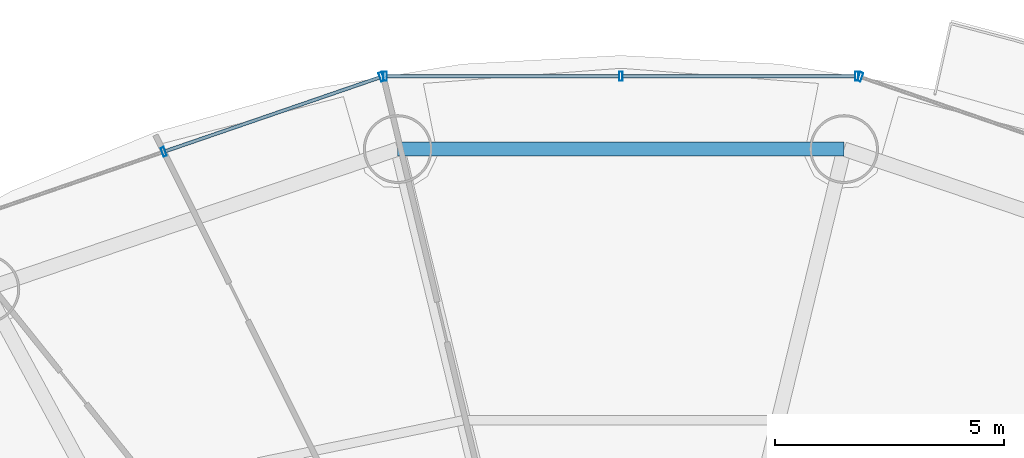
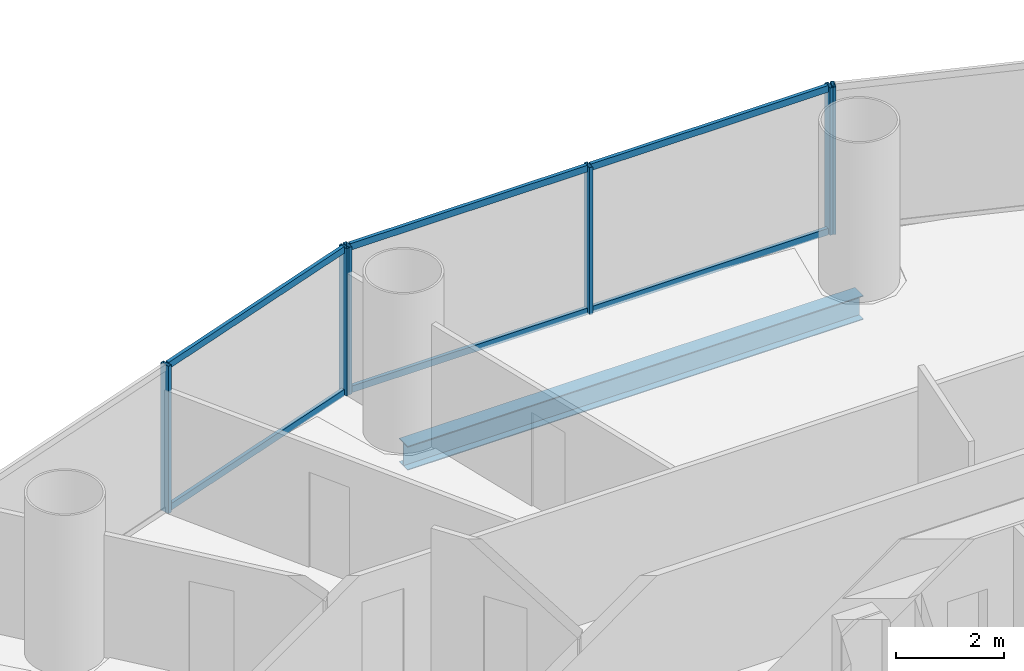
# One storey, part 18 of 29: 12 members, 1 beam, 3 elements without a shape of their own.
"""IFC4 building model written with IfcOpenShell, lengths in metres."""

from ifc_helpers import new_model, si_unit, direction, frame, origin, origin_2d, place, context, subcontext, project, spatial, hollow_rectangle, i_section, extrude, source, transform, mapped, material, material_profile, profile_set, type_object, element, aggregate, save


model = new_model("IFC4")

# Units and contexts
model_context = context("Model", 3, precision=1e-05, world=origin(), true_north=direction((-0.2419218956, 0.970295726276)))
body_context = subcontext(model_context, "Body", "Model", "MODEL_VIEW")
ifc_project = project(units=[si_unit("LENGTHUNIT", "METRE"), si_unit("AREAUNIT", "SQUARE_METRE"), si_unit("VOLUMEUNIT", "CUBIC_METRE"), si_unit("PLANEANGLEUNIT", "RADIAN"), si_unit("MASSUNIT", "GRAM", prefix="KILO")], contexts=[model_context])

# Site, building, storey
site_placement = place(None, origin())
site = spatial("IfcSite", under=ifc_project, at=site_placement, CompositionType="ELEMENT")
building_placement = place(site_placement, origin())
building = spatial("IfcBuilding", under=site, at=building_placement, Name="Cobrevalo Terracotta Tower", CompositionType="ELEMENT")
storey_placement = place(building_placement, frame((0.0, 0.0, 112.199951171875)))
storey = spatial("IfcBuildingStorey", under=building, at=storey_placement, Name="L29", CompositionType="ELEMENT", Elevation=112.199951171875)

# Beam
ifc_material_1 = material(Name="Steel S355", Category="steel")
ifc_material_profile_1 = material_profile(ifc_material_1, i_section(OverallWidth=0.31201171875, OverallDepth=0.54296875, WebThickness=0.0126953125, FlangeThickness=0.020263671875, at=origin_2d()), Name="W 530x150")
ifc_profile_set_1 = profile_set([ifc_material_profile_1], Name="Steel S355")
beam_type = type_object("IfcBeamType", Name="Structural Spandrel W 530x150 (Steel S355)", PredefinedType="SPANDREL", material=ifc_profile_set_1)
beam_placement = place(storey_placement, frame((42.867431640625, 46.857177734375, -0.54638671875), z_axis=(-1.0, 0.0, 0.0), x_axis=(0.0, -1.0, 0.0)))
element("IfcBeam", 1, at=beam_placement, inside=storey, type_object=beam_type, Name="L29 perimeter ring spandrel 04", PredefinedType="SPANDREL", context=body_context, shape_type="SweptSolid", body=[
    extrude(i_section(OverallWidth=0.31201171875, OverallDepth=0.54296875, WebThickness=0.0126953125, FlangeThickness=0.020263671875, at=origin_2d()), origin(), (0.0, 0.0, 1.0), 9.73486328125),
])

# Curtain wall, member
ifc_material_2 = material(Name="Anodized aluminium", Category="aluminium")
curtain_wall_type = type_object("IfcCurtainWallType", Name="Lower-tower unitised acoustic low-E curtain wall CW-U1", PredefinedType="NOTDEFINED", material=ifc_material_2)
curtain_wall_1_placement = place(storey_placement, origin())
curtain_wall_1 = element("IfcCurtainWall", 2, at=curtain_wall_1_placement, inside=storey, type_object=curtain_wall_type, Name="L29 curtain wall CW-L29-S03", PredefinedType="NOTDEFINED")
ifc_material_profile_2 = material_profile(ifc_material_2, hollow_rectangle(XDim=0.074951171875, YDim=0.199951171875, WallThickness=0.0048828125, at=origin_2d()), Name="CWM 75x200")
ifc_profile_set_2 = profile_set([ifc_material_profile_2], Name="Anodized aluminium")
member_type_1 = type_object("IfcMemberType", Name="Lower/mid tower unitised mullion 75x200", PredefinedType="MULLION", material=ifc_profile_set_2)
shared_shape_1 = source(origin(), body_context, "Body", "SweptSolid", [
    extrude(hollow_rectangle(XDim=0.074951171875, YDim=0.199951171875, WallThickness=0.0048828125, at=origin_2d()), origin(), (0.0, 0.0, 1.0), 3.324951171875),
])
member_1_placement = place(storey_placement, frame((43.221435546875, 48.432861328125, 0.0), z_axis=(0.0, 0.0, 1.0), x_axis=(-0.94559809868, 0.325337110968, 0.0)))
member_1 = element("IfcMember", 3, at=member_1_placement, type_object=member_type_1, Name="CW-L29-S03 vertical mullion 03", PredefinedType="MULLION", context=body_context, shape_type="MappedRepresentation", body=[
    mapped(shared_shape_1, transform((0.0, 0.0, 0.0), scale=1.0)),
])
aggregate(curtain_wall_1, [member_1])

# Curtain wall, members
curtain_wall_2_placement = place(storey_placement, origin())
curtain_wall_2 = element("IfcCurtainWall", 4, at=curtain_wall_2_placement, inside=storey, type_object=curtain_wall_type, Name="L29 curtain wall CW-L29-S04", PredefinedType="NOTDEFINED")
member_2_placement = place(storey_placement, frame((43.1435546875, 48.446044921875, 0.0), z_axis=(0.0, 0.0, 1.0), x_axis=(-1.0, 0.0, 0.0)))
member_2 = element("IfcMember", 5, at=member_2_placement, type_object=member_type_1, Name="CW-L29-S04 vertical mullion 01", PredefinedType="MULLION", context=body_context, shape_type="MappedRepresentation", body=[
    mapped(shared_shape_1, transform((0.0, 0.0, 0.0), scale=1.0)),
])
member_3_placement = place(storey_placement, frame((38.0, 48.446044921875, 0.0), z_axis=(0.0, 0.0, 1.0), x_axis=(-1.0, 0.0, 0.0)))
member_3 = element("IfcMember", 6, at=member_3_placement, type_object=member_type_1, Name="CW-L29-S04 vertical mullion 02", PredefinedType="MULLION", context=body_context, shape_type="MappedRepresentation", body=[
    mapped(shared_shape_1, transform((0.0, 0.0, 0.0), scale=1.0)),
])
member_4_placement = place(storey_placement, frame((32.8564453125, 48.446044921875, 0.0), z_axis=(0.0, 0.0, 1.0), x_axis=(-1.0, 0.0, 0.0)))
member_4 = element("IfcMember", 7, at=member_4_placement, type_object=member_type_1, Name="CW-L29-S04 vertical mullion 03", PredefinedType="MULLION", context=body_context, shape_type="MappedRepresentation", body=[
    mapped(shared_shape_1, transform((0.0, 0.0, 0.0), scale=1.0)),
])

curtain_wall_3_placement = place(storey_placement, origin())
curtain_wall_3 = element("IfcCurtainWall", 8, at=curtain_wall_3_placement, inside=storey, type_object=curtain_wall_type, Name="L29 curtain wall CW-L29-S05", PredefinedType="NOTDEFINED")
member_5_placement = place(storey_placement, frame((32.778564453125, 48.432861328125, 0.0), z_axis=(0.0, 0.0, 1.0), x_axis=(-0.94559809868, -0.325337110968, 0.0)))
member_5 = element("IfcMember", 9, at=member_5_placement, type_object=member_type_1, Name="CW-L29-S05 vertical mullion 01", PredefinedType="MULLION", context=body_context, shape_type="MappedRepresentation", body=[
    mapped(shared_shape_1, transform((0.0, 0.0, 0.0), scale=1.0)),
])
member_6_placement = place(storey_placement, frame((28.027587890625, 46.79833984375, 0.0), z_axis=(0.0, 0.0, 1.0), x_axis=(-0.94559809868, -0.325337110968, 0.0)))
member_6 = element("IfcMember", 10, at=member_6_placement, type_object=member_type_1, Name="CW-L29-S05 vertical mullion 02", PredefinedType="MULLION", context=body_context, shape_type="MappedRepresentation", body=[
    mapped(shared_shape_1, transform((0.0, 0.0, 0.0), scale=1.0)),
])
ifc_material_profile_3 = material_profile(ifc_material_2, hollow_rectangle(XDim=0.074951171875, YDim=0.14990234375, WallThickness=0.00439453125, at=origin_2d()), Name="CWT 75x150")
ifc_profile_set_3 = profile_set([ifc_material_profile_3], Name="Anodized aluminium")
member_type_2 = type_object("IfcMemberType", Name="Tower unitised aluminium transom 75x150", PredefinedType="USERDEFINED", material=ifc_profile_set_3)
shared_shape_2 = source(origin(), body_context, "Body", "SweptSolid", [
    extrude(hollow_rectangle(XDim=0.074951171875, YDim=0.14990234375, WallThickness=0.00439453125, at=origin_2d()), origin(), (0.0, 0.0, 1.0), 4.944580078125),
])
member_7_placement = place(storey_placement, frame((32.74072265625, 48.419921875, 0.050048828125), z_axis=(-0.945597859971, -0.32533780478, 0.0), x_axis=(0.32533780478, -0.945597859971, 0.0)))
member_7 = element("IfcMember", 11, at=member_7_placement, type_object=member_type_2, Name="CW-L29-S05 transom B01-T1", ObjectType="TRANSOM", PredefinedType="USERDEFINED", context=body_context, shape_type="MappedRepresentation", body=[
    mapped(shared_shape_2, transform((0.0, 0.0, 0.0), scale=1.0)),
])
member_8_placement = place(storey_placement, frame((32.74072265625, 48.419921875, 3.275146484375), z_axis=(-0.945597859971, -0.32533780478, 0.0), x_axis=(0.32533780478, -0.945597859971, 0.0)))
member_8 = element("IfcMember", 12, at=member_8_placement, type_object=member_type_2, Name="CW-L29-S05 transom B01-T2", ObjectType="TRANSOM", PredefinedType="USERDEFINED", context=body_context, shape_type="MappedRepresentation", body=[
    mapped(shared_shape_2, transform((0.0, 0.0, 0.0), scale=1.0)),
])
aggregate(curtain_wall_3, [member_5, member_6, member_7, member_8])

# Member
shared_shape_3 = source(origin(), body_context, "Body", "SweptSolid", [
    extrude(hollow_rectangle(XDim=0.074951171875, YDim=0.14990234375, WallThickness=0.00439453125, at=origin_2d()), origin(), (0.0, 0.0, 1.0), 5.0634765625),
])
member_9_placement = place(storey_placement, frame((43.103515625, 48.446044921875, 0.050048828125), z_axis=(-1.0, 0.0, 0.0), x_axis=(0.0, -1.0, 0.0)))
member_9 = element("IfcMember", 13, at=member_9_placement, type_object=member_type_2, Name="CW-L29-S04 transom B01-T1", ObjectType="TRANSOM", PredefinedType="USERDEFINED", context=body_context, shape_type="MappedRepresentation", body=[
    mapped(shared_shape_3, transform((0.0, 0.0, 0.0), scale=1.0)),
])

member_10_placement = place(storey_placement, frame((43.103515625, 48.446044921875, 3.275146484375), z_axis=(-1.0, 0.0, 0.0), x_axis=(0.0, -1.0, 0.0)))
member_10 = element("IfcMember", 14, at=member_10_placement, type_object=member_type_2, Name="CW-L29-S04 transom B01-T2", ObjectType="TRANSOM", PredefinedType="USERDEFINED", context=body_context, shape_type="MappedRepresentation", body=[
    mapped(shared_shape_3, transform((0.0, 0.0, 0.0), scale=1.0)),
])

member_11_placement = place(storey_placement, frame((37.9599609375, 48.446044921875, 0.050048828125), z_axis=(-1.0, 0.0, 0.0), x_axis=(0.0, -1.0, 0.0)))
member_11 = element("IfcMember", 15, at=member_11_placement, type_object=member_type_2, Name="CW-L29-S04 transom B02-T1", ObjectType="TRANSOM", PredefinedType="USERDEFINED", context=body_context, shape_type="MappedRepresentation", body=[
    mapped(shared_shape_3, transform((0.0, 0.0, 0.0), scale=1.0)),
])

member_12_placement = place(storey_placement, frame((37.9599609375, 48.446044921875, 3.275146484375), z_axis=(-1.0, 0.0, 0.0), x_axis=(0.0, -1.0, 0.0)))
member_12 = element("IfcMember", 16, at=member_12_placement, type_object=member_type_2, Name="CW-L29-S04 transom B02-T2", ObjectType="TRANSOM", PredefinedType="USERDEFINED", context=body_context, shape_type="MappedRepresentation", body=[
    mapped(shared_shape_3, transform((0.0, 0.0, 0.0), scale=1.0)),
])

aggregate(curtain_wall_2, [member_2, member_3, member_4, member_9, member_10, member_11, member_12])

save(model, "model.ifc")
